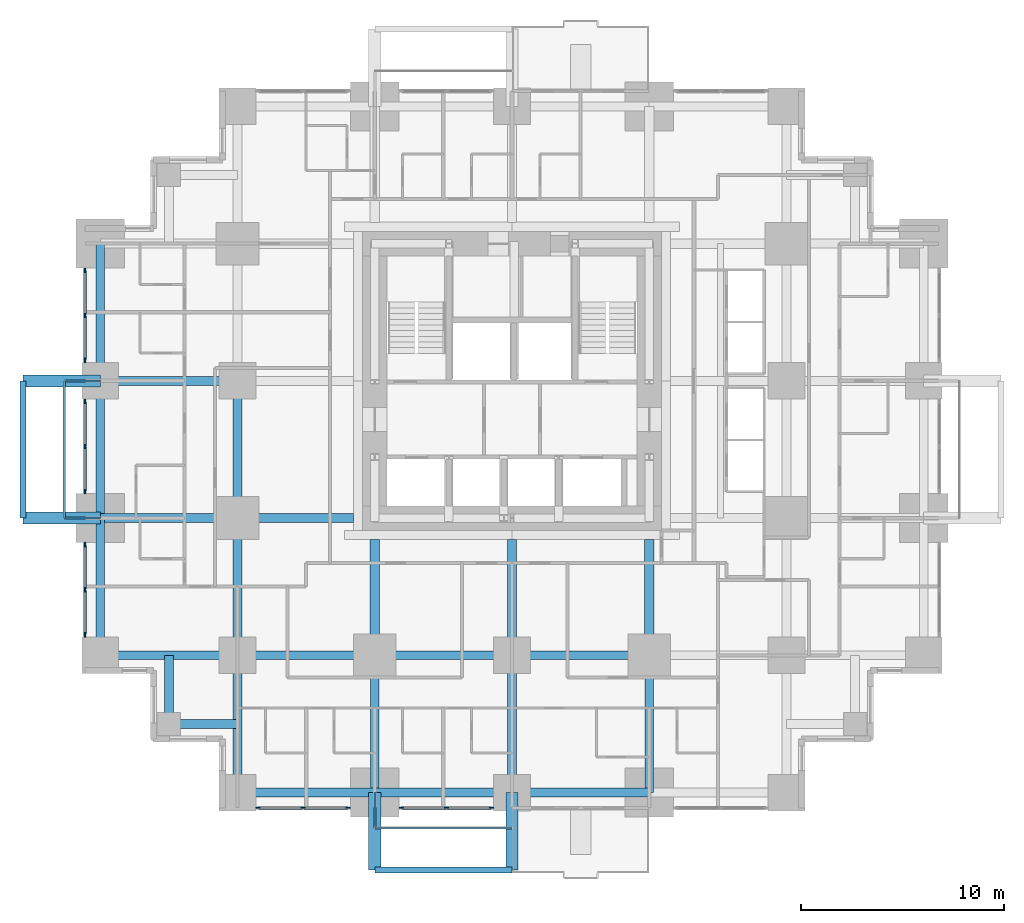
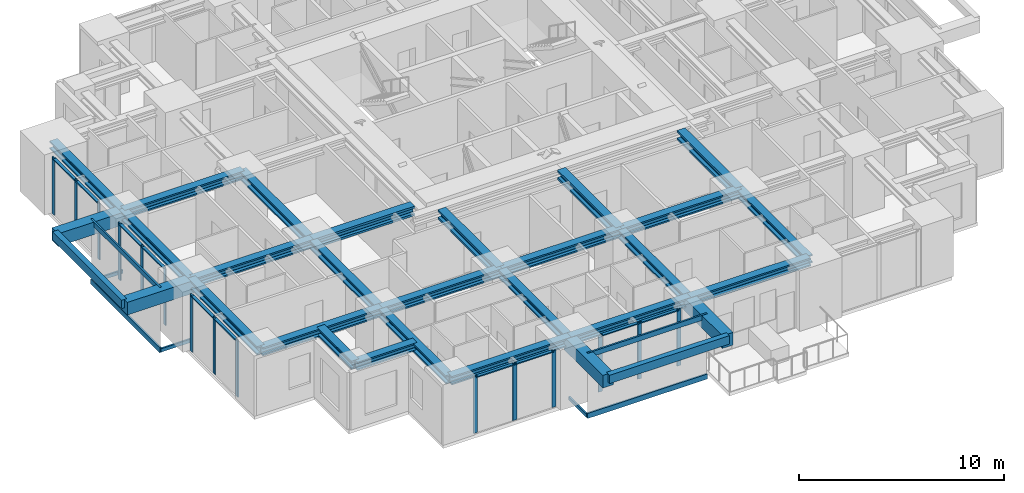
# One storey, part 2 of 13: 32 members, 30 beams, 5 elements without a shape of their own.
"""IFC4 building model written with IfcOpenShell, lengths in metres."""

import ifcopenshell
import ifcopenshell.guid

model = None  # the IFC model being written
_history = None  # IfcOwnerHistory: only IFC2X3 demands one
_inside = {}  # id of a spatial element -> (the spatial element, [elements in it])
_under = {}  # id of a project, library or spatial element -> (it, [spatial elements below it])
_declared = {}  # id of a project -> (the project, [libraries it declares])
_typed = {}  # id of a type object -> (the type object, [elements of that type])
_made_of = {}  # id of a material, layer set ... -> (it, [elements and type objects made of it])


def new_model(schema):
    """Start an empty IFC model of exactly this schema.

    Asked for "IFC4X3", IfcOpenShell would pick the latest addendum, in which some entities
    have other attributes; the version numbers below select the first issue.
    IFC2X3 requires an IfcOwnerHistory on every rooted entity: one is made here for all.
    """
    global model, _history
    if schema == "IFC4X3":
        model = ifcopenshell.file(schema_version=(4, 3, 0, 0))
    else:
        model = ifcopenshell.file(schema=schema)
    _inside.clear()
    _under.clear()
    _declared.clear()
    _typed.clear()
    _made_of.clear()
    _history = None
    if model.schema == "IFC2X3":
        org = make("IfcOrganization", Name="unknown")
        user = make(
            "IfcPersonAndOrganization",
            ThePerson=make("IfcPerson", FamilyName="unknown"),
            TheOrganization=org,
        )
        app = make(
            "IfcApplication",
            ApplicationDeveloper=org,
            Version="unknown",
            ApplicationFullName="unknown",
            ApplicationIdentifier="unknown",
        )
        _history = make(
            "IfcOwnerHistory",
            OwningUser=user,
            OwningApplication=app,
            ChangeAction="ADDED",
            CreationDate=0,
        )
    return model


def make(cls, **values):
    """One entity of the class cls with the attributes given. An attribute that is None is left unset."""
    return model.create_entity(
        cls, **{name: value for name, value in values.items() if value is not None}
    )


def rooted(cls, **values):
    """An entity with a GlobalId (a new one), such as an element, a storey or a relation."""
    return make(cls, GlobalId=ifcopenshell.guid.new(), OwnerHistory=_history, **values)


def si_unit(unit_type, name, prefix=None):
    """IfcSIUnit, for example si_unit("LENGTHUNIT", "METRE", prefix="MILLI")."""
    return make("IfcSIUnit", UnitType=unit_type, Prefix=prefix, Name=name)


def assignment(units):
    """IfcUnitAssignment: the units of a project."""
    return None if units is None else make("IfcUnitAssignment", Units=units)


def point(xyz):
    """IfcCartesianPoint."""
    return None if xyz is None else make("IfcCartesianPoint", Coordinates=xyz)


def direction(xyz):
    """IfcDirection."""
    return None if xyz is None else make("IfcDirection", DirectionRatios=xyz)


def frame(location, z_axis=None, x_axis=None):
    """IfcAxis2Placement3D, a coordinate frame: its origin and axes. An axis left out is left unset."""
    return make(
        "IfcAxis2Placement3D",
        Location=point(location),
        Axis=direction(z_axis),
        RefDirection=direction(x_axis),
    )


def frame_2d(location, x_axis=None):
    """IfcAxis2Placement2D, a coordinate frame in the plane: its origin and x axis."""
    return make(
        "IfcAxis2Placement2D", Location=point(location), RefDirection=direction(x_axis)
    )


def origin():
    """The frame at (0, 0, 0) with its axes left unset."""
    return frame((0.0, 0.0, 0.0))


def origin_2d():
    """The frame at (0, 0) in the plane with its x axis left unset."""
    return frame_2d((0.0, 0.0))


def place(relative_to, where):
    """IfcLocalPlacement: puts the frame where relative to a parent placement (None: the world)."""
    return make(
        "IfcLocalPlacement", PlacementRelTo=relative_to, RelativePlacement=where
    )


def context(
    kind, dimensions, precision=None, world=None, true_north=None, identifier=None
):
    """IfcGeometricRepresentationContext, for example the 3D "Model" context."""
    return make(
        "IfcGeometricRepresentationContext",
        ContextIdentifier=identifier,
        ContextType=kind,
        CoordinateSpaceDimension=dimensions,
        Precision=precision,
        WorldCoordinateSystem=world,
        TrueNorth=true_north,
    )


def subcontext(parent, identifier, kind, view, scale=None):
    """IfcGeometricRepresentationSubContext, for example "Body" below "Model"."""
    return make(
        "IfcGeometricRepresentationSubContext",
        ContextIdentifier=identifier,
        ContextType=kind,
        ParentContext=parent,
        TargetScale=scale,
        TargetView=view,
    )


def project(units=None, contexts=None):
    """IfcProject with its units and contexts."""
    return rooted(
        "IfcProject",
        Name="project",
        RepresentationContexts=contexts,
        UnitsInContext=assignment(units),
    )


def spatial(cls, under=None, at=None, **own):
    """A site, building, storey or space (cls), placed at a placement, below another one or the project."""
    s = rooted(cls, ObjectPlacement=at, **own)
    if under is not None:
        _under.setdefault(under.id(), (under, []))[1].append(s)
    return s


def profile(cls, at=None, kind="AREA", **sizes):
    """A parametric profile (cls). Its sizes go by their IFC names, for example OverallWidth=200.0."""
    return make(cls, ProfileType=kind, Position=at, **sizes)


def rectangle(**sizes):
    """IfcRectangleProfileDef."""
    return profile("IfcRectangleProfileDef", **sizes)


def hollow_rectangle(**sizes):
    """IfcRectangleHollowProfileDef."""
    return profile("IfcRectangleHollowProfileDef", **sizes)


def i_section(**sizes):
    """IfcIShapeProfileDef."""
    return profile("IfcIShapeProfileDef", **sizes)


def extrude(swept, where, along, depth):
    """IfcExtrudedAreaSolid: the profile swept, set in the frame where, extruded along a direction by depth."""
    return make(
        "IfcExtrudedAreaSolid",
        SweptArea=swept,
        Position=where,
        ExtrudedDirection=direction(along),
        Depth=depth,
    )


def shape(context_of_items, identifier, shape_type, items):
    """IfcShapeRepresentation: the items that make up one representation, for example the "Body"."""
    return make(
        "IfcShapeRepresentation",
        ContextOfItems=context_of_items,
        RepresentationIdentifier=identifier,
        RepresentationType=shape_type,
        Items=items,
    )


def material(Name=None, Category=None):
    """IfcMaterial."""
    return make("IfcMaterial", Name=Name, Category=Category)


def material_profile(
    of_material, cross_section, Name=None, Category=None, Priority=None
):
    """IfcMaterialProfile: a cross section and its material."""
    return make(
        "IfcMaterialProfile",
        Name=Name,
        Material=of_material,
        Profile=cross_section,
        Priority=Priority,
        Category=Category,
    )


def profile_set(profiles, Name=None, composite=None):
    """IfcMaterialProfileSet."""
    return make(
        "IfcMaterialProfileSet",
        Name=Name,
        MaterialProfiles=profiles,
        CompositeProfile=composite,
    )


def made_of(thing, what):
    """Note that an element or type object is made of a material, layer set ...; save() writes the relation."""
    if what is not None:
        _made_of.setdefault(what.id(), (what, []))[1].append(thing)
    return thing


def type_object(cls, material=None, **own):
    """A type object (cls), such as IfcWallType, which elements share."""
    return made_of(rooted(cls, **own), material)


def element(
    cls,
    number,
    at=None,
    inside=None,
    cuts=None,
    type_object=None,
    material=None,
    context=None,
    identifier="Body",
    shape_type=None,
    held_by="IfcProductDefinitionShape",
    body=None,
    shapes=None,
    **own,
):
    """One element of the class cls, such as IfcWall. Its Tag is "e" and its number.

    at: its placement. inside: the storey or other place that contains it. cuts: it is an
    opening in that element (IfcRelVoidsElement). A single representation is given by context,
    identifier, shape_type and body (its items); several are given by shapes. held_by: the class
    of the entity that holds the representations. save() writes the other relations.
    """
    e = rooted(cls, Tag="e%d" % number, ObjectPlacement=at, **own)
    if body is not None:
        shapes = [shape(context, identifier, shape_type, body)]
    if shapes is not None:
        e.Representation = make(held_by, Representations=shapes)
    if inside is not None:
        _inside.setdefault(inside.id(), (inside, []))[1].append(e)
    if cuts is not None:
        rooted(
            "IfcRelVoidsElement", RelatingBuildingElement=cuts, RelatedOpeningElement=e
        )
    if type_object is not None:
        _typed.setdefault(type_object.id(), (type_object, []))[1].append(e)
    return made_of(e, material)


def aggregate(whole, parts):
    """IfcRelAggregates: a whole, such as a stair, and the parts it consists of."""
    return rooted("IfcRelAggregates", RelatingObject=whole, RelatedObjects=parts)


def save(model, path):
    """Write the relations noted so far, then the file.

    IfcRelAggregates (storeys below a building ...), IfcRelContainedInSpatialStructure (elements
    in a storey), IfcRelDefinesByType, IfcRelAssociatesMaterial and IfcRelDeclares: one each for
    every whole, place, type object, material and project.
    """
    for whole, parts in _under.values():
        aggregate(whole, parts)
    for where, things in _inside.values():
        rooted(
            "IfcRelContainedInSpatialStructure",
            RelatedElements=things,
            RelatingStructure=where,
        )
    for kind, things in _typed.values():
        rooted("IfcRelDefinesByType", RelatedObjects=things, RelatingType=kind)
    for what, things in _made_of.values():
        rooted("IfcRelAssociatesMaterial", RelatedObjects=things, RelatingMaterial=what)
    for by, libraries in _declared.values():
        rooted("IfcRelDeclares", RelatingContext=by, RelatedDefinitions=libraries)
    model.write(path)


model = new_model("IFC4")

# Units and contexts
model_context = context("Model", 3, precision=1e-05, world=origin(), true_north=direction((0.0, 1.0)))
body_context = subcontext(model_context, "Body", "Model", "MODEL_VIEW")
ifc_project = project(units=[si_unit("LENGTHUNIT", "METRE"), si_unit("AREAUNIT", "SQUARE_METRE"), si_unit("VOLUMEUNIT", "CUBIC_METRE"), si_unit("PLANEANGLEUNIT", "RADIAN"), si_unit("MASSUNIT", "GRAM", prefix="KILO")], contexts=[model_context])

# Site, building, storey
site_placement = place(None, origin())
site = spatial("IfcSite", under=ifc_project, at=site_placement, CompositionType="ELEMENT")
building_placement = place(site_placement, origin())
building = spatial("IfcBuilding", under=site, at=building_placement, Name="Nyansa Garden Tower", CompositionType="ELEMENT")
storey_placement = place(building_placement, frame((0.0, 0.0, 83.699951171875)))
storey = spatial("IfcBuildingStorey", under=building, at=storey_placement, Name="L22", CompositionType="ELEMENT", Elevation=83.699951171875)

# Beams
ifc_material_1 = material(Name="Concrete C70/85", Category="concrete")
ifc_material_profile_1 = material_profile(ifc_material_1, rectangle(XDim=0.60009765625, YDim=0.75, at=origin_2d()), Name="RC 600x750")
ifc_profile_set_1 = profile_set([ifc_material_profile_1], Name="Concrete C70/85")
beam_type_1 = type_object("IfcBeamType", Name="Balcony cantilever beam CB1 RC 600x750", PredefinedType="BEAM", material=ifc_profile_set_1)
for number, where, z_axis, x_axis, name in (
    (1, (13.5, 0.0, 2.985107421875), (0.0, -1.0, 0.0), (1.0, 0.0, 0.0), "Balcony cantilever beam L23"),
    (2, (20.25, 0.0, 2.985107421875), (0.0, -1.0, 0.0), (1.0, 0.0, 0.0), "Balcony cantilever beam L23"),
    (3, (0.0, 13.5, 2.985107421875), (-1.0, 0.0, 0.0), (0.0, -1.0, 0.0), "Balcony cantilever beam L23"),
    (4, (0.0, 20.25, 2.985107421875), (-1.0, 0.0, 0.0), (0.0, -1.0, 0.0), "Balcony cantilever beam L23"),
):
    element("IfcBeam", number, at=place(storey_placement, frame(where, z_axis=z_axis, x_axis=x_axis)), inside=storey, type_object=beam_type_1, Name=name, PredefinedType="BEAM", context=body_context, shape_type="SweptSolid", body=[
        extrude(rectangle(XDim=0.60009765625, YDim=0.75, at=origin_2d()), origin(), (0.0, 0.0, 1.0), 3.800048828125),
    ])
ifc_material_2 = material(Name="Concrete C70/85", Category="concrete")
ifc_material_profile_2 = material_profile(ifc_material_2, rectangle(XDim=0.300048828125, YDim=0.5, at=origin_2d()), Name="RC 300x500")
ifc_profile_set_2 = profile_set([ifc_material_profile_2], Name="Concrete C70/85")
beam_type_2 = type_object("IfcBeamType", Name="Balcony edge beam BE1 RC 300x500", PredefinedType="BEAM", material=ifc_profile_set_2)
for number, where, z_axis, x_axis, name in (
    (5, (13.5, -3.800048828125, 3.110107421875), (1.0, 0.0, 0.0), (0.0, 1.0, 0.0), "Balcony edge beam L23"),
    (6, (-3.800048828125, 13.5, 3.110107421875), (0.0, 1.0, 0.0), (-1.0, 0.0, 0.0), "Balcony edge beam L23"),
):
    element("IfcBeam", number, at=place(storey_placement, frame(where, z_axis=z_axis, x_axis=x_axis)), inside=storey, type_object=beam_type_2, Name=name, PredefinedType="BEAM", context=body_context, shape_type="SweptSolid", body=[
        extrude(rectangle(XDim=0.300048828125, YDim=0.5, at=origin_2d()), origin(), (0.0, 0.0, 1.0), 6.75),
    ])

# Curtain wall, members
ifc_material_3 = material(Name="Black anodised aluminium, dark tinted double glazing", Category="aluminium")
curtain_wall_type = type_object("IfcCurtainWallType", Name="Inner skin curtain wall ISW-B", PredefinedType="USERDEFINED", material=ifc_material_3)
curtain_wall_1_placement = place(storey_placement, origin())
curtain_wall_1 = element("IfcCurtainWall", 7, at=curtain_wall_1_placement, inside=storey, type_object=curtain_wall_type, Name="Inner skin curtain wall L22 W", ObjectType="UNITISED CURTAIN WALL", PredefinedType="USERDEFINED")
ifc_material_4 = material(Name="Black anodised aluminium", Category="aluminium")
ifc_material_profile_3 = material_profile(ifc_material_4, rectangle(XDim=0.06494140625, YDim=0.22509765625, at=origin_2d()), Name="Mullion 225x65")
ifc_profile_set_3 = profile_set([ifc_material_profile_3], Name="Black anodised aluminium")
member_type_1 = type_object("IfcMemberType", Name="Mullion ISW-B 225x65", PredefinedType="MULLION", material=ifc_profile_set_3)
member_1_placement = place(storey_placement, frame((-0.75, 25.6875, 0.0), z_axis=(0.0, 0.0, 1.0), x_axis=(1.0, 0.0, 0.0)))
member_1 = element("IfcMember", 8, at=member_1_placement, type_object=member_type_1, Name="ISW-B mullion 1", PredefinedType="MULLION", context=body_context, shape_type="SweptSolid", body=[
    extrude(rectangle(XDim=0.06494140625, YDim=0.22509765625, at=origin_2d()), origin(), (0.0, 0.0, 1.0), 3.375),
])
member_2_placement = place(storey_placement, frame((-0.75, 23.47509765625, 0.0), z_axis=(0.0, 0.0, 1.0), x_axis=(1.0, 0.0, 0.0)))
member_2 = element("IfcMember", 9, at=member_2_placement, type_object=member_type_1, Name="ISW-B mullion 2", PredefinedType="MULLION", context=body_context, shape_type="SweptSolid", body=[
    extrude(rectangle(XDim=0.06494140625, YDim=0.22509765625, at=origin_2d()), origin(), (0.0, 0.0, 1.0), 3.375),
])
member_3_placement = place(storey_placement, frame((-0.75, 21.262451171875, 0.0), z_axis=(0.0, 0.0, 1.0), x_axis=(1.0, 0.0, 0.0)))
member_3 = element("IfcMember", 10, at=member_3_placement, type_object=member_type_1, Name="ISW-B mullion 3", PredefinedType="MULLION", context=body_context, shape_type="SweptSolid", body=[
    extrude(rectangle(XDim=0.06494140625, YDim=0.22509765625, at=origin_2d()), origin(), (0.0, 0.0, 1.0), 3.375),
])

curtain_wall_2_placement = place(storey_placement, origin())
curtain_wall_2 = element("IfcCurtainWall", 11, at=curtain_wall_2_placement, inside=storey, type_object=curtain_wall_type, Name="Inner skin curtain wall L22 W", ObjectType="UNITISED CURTAIN WALL", PredefinedType="USERDEFINED")
member_4_placement = place(storey_placement, frame((-0.75, 19.237548828125, 0.0), z_axis=(0.0, 0.0, 1.0), x_axis=(1.0, 0.0, 0.0)))
member_4 = element("IfcMember", 12, at=member_4_placement, type_object=member_type_1, Name="ISW-B mullion 1", PredefinedType="MULLION", context=body_context, shape_type="SweptSolid", body=[
    extrude(rectangle(XDim=0.06494140625, YDim=0.22509765625, at=origin_2d()), origin(), (0.0, 0.0, 1.0), 3.375),
])
member_5_placement = place(storey_placement, frame((-0.75, 17.02490234375, 0.0), z_axis=(0.0, 0.0, 1.0), x_axis=(1.0, 0.0, 0.0)))
member_5 = element("IfcMember", 13, at=member_5_placement, type_object=member_type_1, Name="ISW-B mullion 2", PredefinedType="MULLION", context=body_context, shape_type="SweptSolid", body=[
    extrude(rectangle(XDim=0.06494140625, YDim=0.22509765625, at=origin_2d()), origin(), (0.0, 0.0, 1.0), 3.375),
])
member_6_placement = place(storey_placement, frame((-0.75, 14.8125, 0.0), z_axis=(0.0, 0.0, 1.0), x_axis=(1.0, 0.0, 0.0)))
member_6 = element("IfcMember", 14, at=member_6_placement, type_object=member_type_1, Name="ISW-B mullion 3", PredefinedType="MULLION", context=body_context, shape_type="SweptSolid", body=[
    extrude(rectangle(XDim=0.06494140625, YDim=0.22509765625, at=origin_2d()), origin(), (0.0, 0.0, 1.0), 3.375),
])

curtain_wall_3_placement = place(storey_placement, origin())
curtain_wall_3 = element("IfcCurtainWall", 15, at=curtain_wall_3_placement, inside=storey, type_object=curtain_wall_type, Name="Inner skin curtain wall L22 W", ObjectType="UNITISED CURTAIN WALL", PredefinedType="USERDEFINED")
member_7_placement = place(storey_placement, frame((-0.75, 12.1875, 0.0), z_axis=(0.0, 0.0, 1.0), x_axis=(1.0, 0.0, 0.0)))
member_7 = element("IfcMember", 16, at=member_7_placement, type_object=member_type_1, Name="ISW-B mullion 1", PredefinedType="MULLION", context=body_context, shape_type="SweptSolid", body=[
    extrude(rectangle(XDim=0.06494140625, YDim=0.22509765625, at=origin_2d()), origin(), (0.0, 0.0, 1.0), 3.375),
])
member_8_placement = place(storey_placement, frame((-0.75, 9.97509765625, 0.0), z_axis=(0.0, 0.0, 1.0), x_axis=(1.0, 0.0, 0.0)))
member_8 = element("IfcMember", 17, at=member_8_placement, type_object=member_type_1, Name="ISW-B mullion 2", PredefinedType="MULLION", context=body_context, shape_type="SweptSolid", body=[
    extrude(rectangle(XDim=0.06494140625, YDim=0.22509765625, at=origin_2d()), origin(), (0.0, 0.0, 1.0), 3.375),
])
member_9_placement = place(storey_placement, frame((-0.75, 7.762451171875, 0.0), z_axis=(0.0, 0.0, 1.0), x_axis=(1.0, 0.0, 0.0)))
member_9 = element("IfcMember", 18, at=member_9_placement, type_object=member_type_1, Name="ISW-B mullion 3", PredefinedType="MULLION", context=body_context, shape_type="SweptSolid", body=[
    extrude(rectangle(XDim=0.06494140625, YDim=0.22509765625, at=origin_2d()), origin(), (0.0, 0.0, 1.0), 3.375),
])

curtain_wall_4_placement = place(storey_placement, origin())
curtain_wall_4 = element("IfcCurtainWall", 19, at=curtain_wall_4_placement, inside=storey, type_object=curtain_wall_type, Name="Inner skin curtain wall L22 S", ObjectType="UNITISED CURTAIN WALL", PredefinedType="USERDEFINED")
member_10_placement = place(storey_placement, frame((7.762451171875, -0.75, 0.0), z_axis=(0.0, 0.0, 1.0), x_axis=(0.0, 1.0, 0.0)))
member_10 = element("IfcMember", 20, at=member_10_placement, type_object=member_type_1, Name="ISW-B mullion 1", PredefinedType="MULLION", context=body_context, shape_type="SweptSolid", body=[
    extrude(rectangle(XDim=0.06494140625, YDim=0.22509765625, at=origin_2d()), origin(), (0.0, 0.0, 1.0), 3.375),
])
member_11_placement = place(storey_placement, frame((9.97509765625, -0.75, 0.0), z_axis=(0.0, 0.0, 1.0), x_axis=(0.0, 1.0, 0.0)))
member_11 = element("IfcMember", 21, at=member_11_placement, type_object=member_type_1, Name="ISW-B mullion 2", PredefinedType="MULLION", context=body_context, shape_type="SweptSolid", body=[
    extrude(rectangle(XDim=0.06494140625, YDim=0.22509765625, at=origin_2d()), origin(), (0.0, 0.0, 1.0), 3.375),
])
member_12_placement = place(storey_placement, frame((12.1875, -0.75, 0.0), z_axis=(0.0, 0.0, 1.0), x_axis=(0.0, 1.0, 0.0)))
member_12 = element("IfcMember", 22, at=member_12_placement, type_object=member_type_1, Name="ISW-B mullion 3", PredefinedType="MULLION", context=body_context, shape_type="SweptSolid", body=[
    extrude(rectangle(XDim=0.06494140625, YDim=0.22509765625, at=origin_2d()), origin(), (0.0, 0.0, 1.0), 3.375),
])

curtain_wall_5_placement = place(storey_placement, origin())
curtain_wall_5 = element("IfcCurtainWall", 23, at=curtain_wall_5_placement, inside=storey, type_object=curtain_wall_type, Name="Inner skin curtain wall L22 S", ObjectType="UNITISED CURTAIN WALL", PredefinedType="USERDEFINED")
member_13_placement = place(storey_placement, frame((14.8125, -0.75, 0.0), z_axis=(0.0, 0.0, 1.0), x_axis=(0.0, 1.0, 0.0)))
member_13 = element("IfcMember", 24, at=member_13_placement, type_object=member_type_1, Name="ISW-B mullion 1", PredefinedType="MULLION", context=body_context, shape_type="SweptSolid", body=[
    extrude(rectangle(XDim=0.06494140625, YDim=0.22509765625, at=origin_2d()), origin(), (0.0, 0.0, 1.0), 3.375),
])
member_14_placement = place(storey_placement, frame((17.02490234375, -0.75, 0.0), z_axis=(0.0, 0.0, 1.0), x_axis=(0.0, 1.0, 0.0)))
member_14 = element("IfcMember", 25, at=member_14_placement, type_object=member_type_1, Name="ISW-B mullion 2", PredefinedType="MULLION", context=body_context, shape_type="SweptSolid", body=[
    extrude(rectangle(XDim=0.06494140625, YDim=0.22509765625, at=origin_2d()), origin(), (0.0, 0.0, 1.0), 3.375),
])
member_15_placement = place(storey_placement, frame((19.237548828125, -0.75, 0.0), z_axis=(0.0, 0.0, 1.0), x_axis=(0.0, 1.0, 0.0)))
member_15 = element("IfcMember", 26, at=member_15_placement, type_object=member_type_1, Name="ISW-B mullion 3", PredefinedType="MULLION", context=body_context, shape_type="SweptSolid", body=[
    extrude(rectangle(XDim=0.06494140625, YDim=0.22509765625, at=origin_2d()), origin(), (0.0, 0.0, 1.0), 3.375),
])

# Members
ifc_material_5 = material(Name="Steel S355, black powder coated", Category="steel")
ifc_material_profile_4 = material_profile(ifc_material_5, hollow_rectangle(XDim=0.10009765625, YDim=0.199951171875, WallThickness=0.008056640625, at=origin_2d()), Name="RHS 200x100x8")
ifc_profile_set_4 = profile_set([ifc_material_profile_4], Name="Steel S355, black powder coated")
member_type_2 = type_object("IfcMemberType", Name="Outer skin bracket arm RHS 200x100x8", PredefinedType="USERDEFINED", material=ifc_profile_set_4)
for number, where, z_axis, x_axis, name in (
    (27, (0.0, 13.5, -0.375), (-1.0, 0.0, 0.0), (0.0, -1.0, 0.0), "Outer skin bracket arm"),
    (28, (0.0, 20.25, -0.375), (-1.0, 0.0, 0.0), (0.0, -1.0, 0.0), "Outer skin bracket arm"),
    (29, (13.5, 0.0, -0.375), (0.0, -1.0, 0.0), (1.0, 0.0, 0.0), "Outer skin bracket arm"),
):
    element("IfcMember", number, at=place(storey_placement, frame(where, z_axis=z_axis, x_axis=x_axis)), inside=storey, type_object=member_type_2, Name=name, ObjectType="OUTER SKIN BRACKET", PredefinedType="USERDEFINED", context=body_context, shape_type="SweptSolid", body=[
        extrude(hollow_rectangle(XDim=0.10009765625, YDim=0.199951171875, WallThickness=0.008056640625, at=origin_2d()), origin(), (0.0, 0.0, 1.0), 1.75),
    ])
ifc_material_6 = material(Name="Steel S355, black powder coated", Category="steel")
ifc_material_profile_5 = material_profile(ifc_material_6, hollow_rectangle(XDim=0.10009765625, YDim=0.300048828125, WallThickness=0.010009765625, at=origin_2d()), Name="RHS 300x100x10")
ifc_profile_set_5 = profile_set([ifc_material_profile_5], Name="Steel S355, black powder coated")
member_type_3 = type_object("IfcMemberType", Name="Outer skin rail RHS 300x100x10", PredefinedType="USERDEFINED", material=ifc_profile_set_5)
for number, where, z_axis, x_axis, name in (
    (30, (-1.75, 13.5, -0.375), (0.0, 1.0, 0.0), (-1.0, 0.0, 0.0), "Outer skin rail L22"),
    (31, (-1.75, 13.5, 3.22509765625), (0.0, 1.0, 0.0), (-1.0, 0.0, 0.0), "Outer skin rail L22 head"),
    (32, (13.5, -1.75, -0.375), (1.0, 0.0, 0.0), (0.0, 1.0, 0.0), "Outer skin rail L22"),
    (33, (13.5, -1.75, 3.22509765625), (1.0, 0.0, 0.0), (0.0, 1.0, 0.0), "Outer skin rail L22 head"),
):
    element("IfcMember", number, at=place(storey_placement, frame(where, z_axis=z_axis, x_axis=x_axis)), inside=storey, type_object=member_type_3, Name=name, ObjectType="OUTER SKIN RAIL", PredefinedType="USERDEFINED", context=body_context, shape_type="SweptSolid", body=[
        extrude(hollow_rectangle(XDim=0.10009765625, YDim=0.300048828125, WallThickness=0.010009765625, at=origin_2d()), origin(), (0.0, 0.0, 1.0), 6.75),
    ])

# Beams
ifc_material_7 = material(Name="Steel S355", Category="steel")
ifc_material_profile_6 = material_profile(ifc_material_7, i_section(OverallWidth=0.431884765625, OverallDepth=0.498046875, WebThickness=0.0556640625, FlangeThickness=0.0888671875, FilletRadius=0.014892578125, at=origin_2d()), Name="HD 400x744")
ifc_profile_set_6 = profile_set([ifc_material_profile_6], Name="Steel S355")
beam_type_3 = type_object("IfcBeamType", Name="Steel beam SBB1-744 HD 400x744", PredefinedType="BEAM", material=ifc_profile_set_6)
for number, where, z_axis, x_axis, name in (
    (34, (0.0, 6.75, 3.1259765625), (1.0, 0.0, 0.0), (0.0, 1.0, 0.0), "Steel beam 2/E-3/E L23"),
    (35, (0.0, 13.5, 3.1259765625), (1.0, 0.0, 0.0), (0.0, 1.0, 0.0), "Steel beam 2/F-3/F L23"),
    (36, (0.0, 20.25, 3.1259765625), (1.0, 0.0, 0.0), (0.0, 1.0, 0.0), "Steel beam 2/G-3/G L23"),
    (37, (6.75, 0.0, 3.1259765625), (0.0, 1.0, 0.0), (-1.0, 0.0, 0.0), "Steel beam 3/D-3/E L23"),
    (38, (6.75, 6.75, 3.1259765625), (0.0, 1.0, 0.0), (-1.0, 0.0, 0.0), "Steel beam 3/E-3/F L23"),
    (39, (6.75, 6.75, 3.1259765625), (1.0, 0.0, 0.0), (0.0, 1.0, 0.0), "Steel beam 3/E-4/E L23"),
    (40, (6.75, 13.5, 3.1259765625), (0.0, 1.0, 0.0), (-1.0, 0.0, 0.0), "Steel beam 3/F-3/G L23"),
    (41, (13.5, 0.0, 3.1259765625), (0.0, 1.0, 0.0), (-1.0, 0.0, 0.0), "Steel beam 4/D-4/E L23"),
    (42, (13.5, 6.75, 3.1259765625), (1.0, 0.0, 0.0), (0.0, 1.0, 0.0), "Steel beam 4/E-5/E L23"),
    (43, (20.25, 0.0, 3.1259765625), (0.0, 1.0, 0.0), (-1.0, 0.0, 0.0), "Steel beam 5/D-5/E L23"),
    (44, (20.25, 6.75, 3.1259765625), (1.0, 0.0, 0.0), (0.0, 1.0, 0.0), "Steel beam 5/E-6/E L23"),
    (45, (27.0, 0.0, 3.1259765625), (0.0, 1.0, 0.0), (-1.0, 0.0, 0.0), "Steel beam 6/D-6/E L23"),
):
    element("IfcBeam", number, at=place(storey_placement, frame(where, z_axis=z_axis, x_axis=x_axis)), inside=storey, type_object=beam_type_3, Name=name, PredefinedType="BEAM", context=body_context, shape_type="SweptSolid", body=[
        extrude(i_section(OverallWidth=0.431884765625, OverallDepth=0.498046875, WebThickness=0.0556640625, FlangeThickness=0.0888671875, FilletRadius=0.014892578125, at=origin_2d()), origin(), (0.0, 0.0, 1.0), 6.75),
    ])
ifc_material_8 = material(Name="Steel S355", Category="steel")
ifc_material_profile_7 = material_profile(ifc_material_8, i_section(OverallWidth=0.4541015625, OverallDepth=0.569091796875, WebThickness=0.077880859375, FlangeThickness=0.125, FilletRadius=0.014892578125, at=origin_2d()), Name="HD 400x1086")
ifc_profile_set_7 = profile_set([ifc_material_profile_7], Name="Steel S355")
beam_type_4 = type_object("IfcBeamType", Name="Steel beam SCL-1086 HD 400x1086", PredefinedType="BEAM", material=ifc_profile_set_7)
for number, where, z_axis, x_axis, name in (
    (46, (6.75, 13.5, 3.090576171875), (1.0, 0.0, 0.0), (0.0, 1.0, 0.0), "Steel beam 3/F-12.450/F L23"),
    (47, (13.5, 6.75, 3.090576171875), (0.0, 1.0, 0.0), (-1.0, 0.0, 0.0), "Steel beam 4/E-4/12.450 L23"),
    (48, (20.25, 6.75, 3.090576171875), (0.0, 1.0, 0.0), (-1.0, 0.0, 0.0), "Steel beam 5/E-5/12.450 L23"),
    (49, (27.0, 6.75, 3.090576171875), (0.0, 1.0, 0.0), (-1.0, 0.0, 0.0), "Steel beam 6/E-6/12.450 L23"),
):
    element("IfcBeam", number, at=place(storey_placement, frame(where, z_axis=z_axis, x_axis=x_axis)), inside=storey, type_object=beam_type_4, Name=name, PredefinedType="BEAM", context=body_context, shape_type="SweptSolid", body=[
        extrude(i_section(OverallWidth=0.4541015625, OverallDepth=0.569091796875, WebThickness=0.077880859375, FlangeThickness=0.125, FilletRadius=0.014892578125, at=origin_2d()), origin(), (0.0, 0.0, 1.0), 5.699951171875),
    ])
ifc_material_9 = material(Name="Steel S355", Category="steel")
ifc_material_profile_8 = material_profile(ifc_material_9, i_section(OverallWidth=0.431884765625, OverallDepth=0.498046875, WebThickness=0.0556640625, FlangeThickness=0.0888671875, FilletRadius=0.014892578125, at=origin_2d()), Name="HD 400x744")
ifc_profile_set_8 = profile_set([ifc_material_profile_8], Name="Steel S355")
beam_type_5 = type_object("IfcBeamType", Name="Steel beam SEBB-744 HD 400x744", PredefinedType="BEAM", material=ifc_profile_set_8)
for number, where, z_axis, x_axis, name in (
    (50, (0.0, 6.75, 3.1259765625), (0.0, 1.0, 0.0), (-1.0, 0.0, 0.0), "Steel edge beam 2/E-2/F L23"),
    (51, (0.0, 13.5, 3.1259765625), (0.0, 1.0, 0.0), (-1.0, 0.0, 0.0), "Steel edge beam 2/F-2/G L23"),
    (52, (0.0, 20.25, 3.1259765625), (0.0, 1.0, 0.0), (-1.0, 0.0, 0.0), "Steel edge beam 2/G-2/H L23"),
    (53, (6.75, 0.0, 3.1259765625), (1.0, 0.0, 0.0), (0.0, 1.0, 0.0), "Steel edge beam 3/D-4/D L23"),
    (54, (13.5, 0.0, 3.1259765625), (1.0, 0.0, 0.0), (0.0, 1.0, 0.0), "Steel edge beam 4/D-5/D L23"),
    (55, (20.25, 0.0, 3.1259765625), (1.0, 0.0, 0.0), (0.0, 1.0, 0.0), "Steel edge beam 5/D-6/D L23"),
):
    element("IfcBeam", number, at=place(storey_placement, frame(where, z_axis=z_axis, x_axis=x_axis)), inside=storey, type_object=beam_type_5, Name=name, PredefinedType="BEAM", context=body_context, shape_type="SweptSolid", body=[
        extrude(i_section(OverallWidth=0.431884765625, OverallDepth=0.498046875, WebThickness=0.0556640625, FlangeThickness=0.0888671875, FilletRadius=0.014892578125, at=origin_2d()), origin(), (0.0, 0.0, 1.0), 6.75),
    ])
ifc_material_10 = material(Name="Steel S355", Category="steel")
ifc_material_profile_9 = material_profile(ifc_material_10, i_section(OverallWidth=0.431884765625, OverallDepth=0.498046875, WebThickness=0.0556640625, FlangeThickness=0.0888671875, FilletRadius=0.014892578125, at=origin_2d()), Name="HD 400x744")
ifc_profile_set_9 = profile_set([ifc_material_profile_9], Name="Steel S355")
beam_type_6 = type_object("IfcBeamType", Name="Steel beam SSB1-744 HD 400x744", PredefinedType="BEAM", material=ifc_profile_set_9)
for number, where, z_axis, x_axis, name in (
    (56, (3.375, 3.375, 3.1259765625), (0.0, 1.0, 0.0), (-1.0, 0.0, 0.0), "Steel step beam 3.375/3.375 L23"),
    (57, (3.375, 3.375, 3.1259765625), (1.0, 0.0, 0.0), (0.0, 1.0, 0.0), "Steel step beam 3.375/3.375 L23"),
):
    element("IfcBeam", number, at=place(storey_placement, frame(where, z_axis=z_axis, x_axis=x_axis)), inside=storey, type_object=beam_type_6, Name=name, PredefinedType="BEAM", context=body_context, shape_type="SweptSolid", body=[
        extrude(i_section(OverallWidth=0.431884765625, OverallDepth=0.498046875, WebThickness=0.0556640625, FlangeThickness=0.0888671875, FilletRadius=0.014892578125, at=origin_2d()), origin(), (0.0, 0.0, 1.0), 3.375),
    ])

# Member
ifc_material_11 = material(Name="Black anodised aluminium", Category="aluminium")
ifc_material_profile_10 = material_profile(ifc_material_11, rectangle(XDim=0.1650390625, YDim=0.06494140625, at=origin_2d()), Name="Transom 165x65")
ifc_profile_set_10 = profile_set([ifc_material_profile_10], Name="Black anodised aluminium")
member_type_4 = type_object("IfcMemberType", Name="Transom ISW-B 165x65", PredefinedType="USERDEFINED", material=ifc_profile_set_10)
member_16_placement = place(storey_placement, frame((-0.75, 25.655029296875, 3.342529296875), z_axis=(0.0, -1.0, 0.0), x_axis=(1.0, 0.0, 0.0)))
member_16 = element("IfcMember", 58, at=member_16_placement, type_object=member_type_4, Name="ISW-B transom 1", ObjectType="TRANSOM", PredefinedType="USERDEFINED", context=body_context, shape_type="SweptSolid", body=[
    extrude(rectangle(XDim=0.1650390625, YDim=0.06494140625, at=origin_2d()), origin(), (0.0, 0.0, 1.0), 2.1474609375),
])

member_17_placement = place(storey_placement, frame((-0.75, 23.4423828125, 3.342529296875), z_axis=(0.0, -1.0, 0.0), x_axis=(1.0, 0.0, 0.0)))
member_17 = element("IfcMember", 59, at=member_17_placement, type_object=member_type_4, Name="ISW-B transom 2", ObjectType="TRANSOM", PredefinedType="USERDEFINED", context=body_context, shape_type="SweptSolid", body=[
    extrude(rectangle(XDim=0.1650390625, YDim=0.06494140625, at=origin_2d()), origin(), (0.0, 0.0, 1.0), 2.1474609375),
])

aggregate(curtain_wall_1, [member_1, member_2, member_3, member_16, member_17])

member_18_placement = place(storey_placement, frame((-0.75, 19.205078125, 3.342529296875), z_axis=(0.0, -1.0, 0.0), x_axis=(1.0, 0.0, 0.0)))
member_18 = element("IfcMember", 60, at=member_18_placement, type_object=member_type_4, Name="ISW-B transom 1", ObjectType="TRANSOM", PredefinedType="USERDEFINED", context=body_context, shape_type="SweptSolid", body=[
    extrude(rectangle(XDim=0.1650390625, YDim=0.06494140625, at=origin_2d()), origin(), (0.0, 0.0, 1.0), 2.1474609375),
])

member_19_placement = place(storey_placement, frame((-0.75, 16.992431640625, 3.342529296875), z_axis=(0.0, -1.0, 0.0), x_axis=(1.0, 0.0, 0.0)))
member_19 = element("IfcMember", 61, at=member_19_placement, type_object=member_type_4, Name="ISW-B transom 2", ObjectType="TRANSOM", PredefinedType="USERDEFINED", context=body_context, shape_type="SweptSolid", body=[
    extrude(rectangle(XDim=0.1650390625, YDim=0.06494140625, at=origin_2d()), origin(), (0.0, 0.0, 1.0), 2.1474609375),
])

aggregate(curtain_wall_2, [member_4, member_5, member_6, member_18, member_19])

member_20_placement = place(storey_placement, frame((-0.75, 12.155029296875, 3.342529296875), z_axis=(0.0, -1.0, 0.0), x_axis=(1.0, 0.0, 0.0)))
member_20 = element("IfcMember", 62, at=member_20_placement, type_object=member_type_4, Name="ISW-B transom 1", ObjectType="TRANSOM", PredefinedType="USERDEFINED", context=body_context, shape_type="SweptSolid", body=[
    extrude(rectangle(XDim=0.1650390625, YDim=0.06494140625, at=origin_2d()), origin(), (0.0, 0.0, 1.0), 2.1474609375),
])

member_21_placement = place(storey_placement, frame((-0.75, 9.9423828125, 3.342529296875), z_axis=(0.0, -1.0, 0.0), x_axis=(1.0, 0.0, 0.0)))
member_21 = element("IfcMember", 63, at=member_21_placement, type_object=member_type_4, Name="ISW-B transom 2", ObjectType="TRANSOM", PredefinedType="USERDEFINED", context=body_context, shape_type="SweptSolid", body=[
    extrude(rectangle(XDim=0.1650390625, YDim=0.06494140625, at=origin_2d()), origin(), (0.0, 0.0, 1.0), 2.1474609375),
])

aggregate(curtain_wall_3, [member_7, member_8, member_9, member_20, member_21])

member_22_placement = place(storey_placement, frame((7.794921875, -0.75, 3.342529296875), z_axis=(1.0, 0.0, 0.0), x_axis=(0.0, 1.0, 0.0)))
member_22 = element("IfcMember", 64, at=member_22_placement, type_object=member_type_4, Name="ISW-B transom 1", ObjectType="TRANSOM", PredefinedType="USERDEFINED", context=body_context, shape_type="SweptSolid", body=[
    extrude(rectangle(XDim=0.1650390625, YDim=0.06494140625, at=origin_2d()), origin(), (0.0, 0.0, 1.0), 2.1474609375),
])

member_23_placement = place(storey_placement, frame((10.007568359375, -0.75, 3.342529296875), z_axis=(1.0, 0.0, 0.0), x_axis=(0.0, 1.0, 0.0)))
member_23 = element("IfcMember", 65, at=member_23_placement, type_object=member_type_4, Name="ISW-B transom 2", ObjectType="TRANSOM", PredefinedType="USERDEFINED", context=body_context, shape_type="SweptSolid", body=[
    extrude(rectangle(XDim=0.1650390625, YDim=0.06494140625, at=origin_2d()), origin(), (0.0, 0.0, 1.0), 2.1474609375),
])

aggregate(curtain_wall_4, [member_10, member_11, member_12, member_22, member_23])

member_24_placement = place(storey_placement, frame((14.844970703125, -0.75, 3.342529296875), z_axis=(1.0, 0.0, 0.0), x_axis=(0.0, 1.0, 0.0)))
member_24 = element("IfcMember", 66, at=member_24_placement, type_object=member_type_4, Name="ISW-B transom 1", ObjectType="TRANSOM", PredefinedType="USERDEFINED", context=body_context, shape_type="SweptSolid", body=[
    extrude(rectangle(XDim=0.1650390625, YDim=0.06494140625, at=origin_2d()), origin(), (0.0, 0.0, 1.0), 2.1474609375),
])

member_25_placement = place(storey_placement, frame((17.0576171875, -0.75, 3.342529296875), z_axis=(1.0, 0.0, 0.0), x_axis=(0.0, 1.0, 0.0)))
member_25 = element("IfcMember", 67, at=member_25_placement, type_object=member_type_4, Name="ISW-B transom 2", ObjectType="TRANSOM", PredefinedType="USERDEFINED", context=body_context, shape_type="SweptSolid", body=[
    extrude(rectangle(XDim=0.1650390625, YDim=0.06494140625, at=origin_2d()), origin(), (0.0, 0.0, 1.0), 2.1474609375),
])

aggregate(curtain_wall_5, [member_13, member_14, member_15, member_24, member_25])

save(model, "model.ifc")
